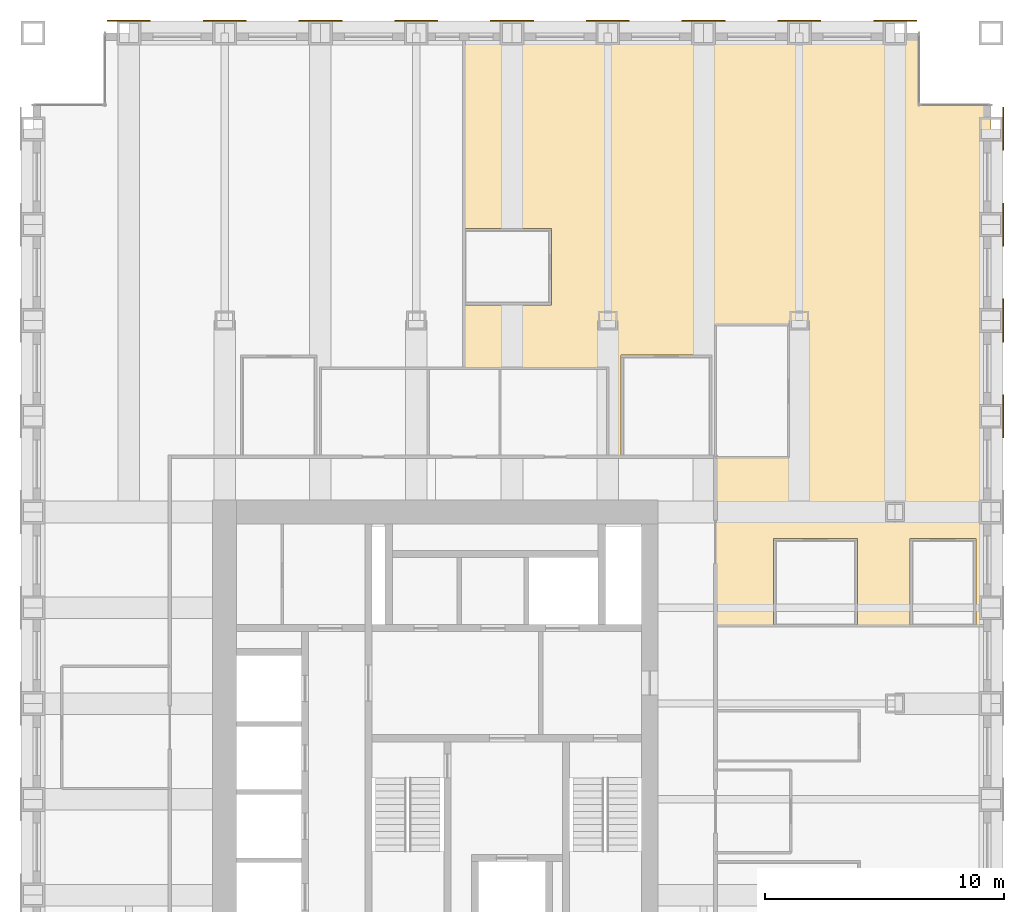
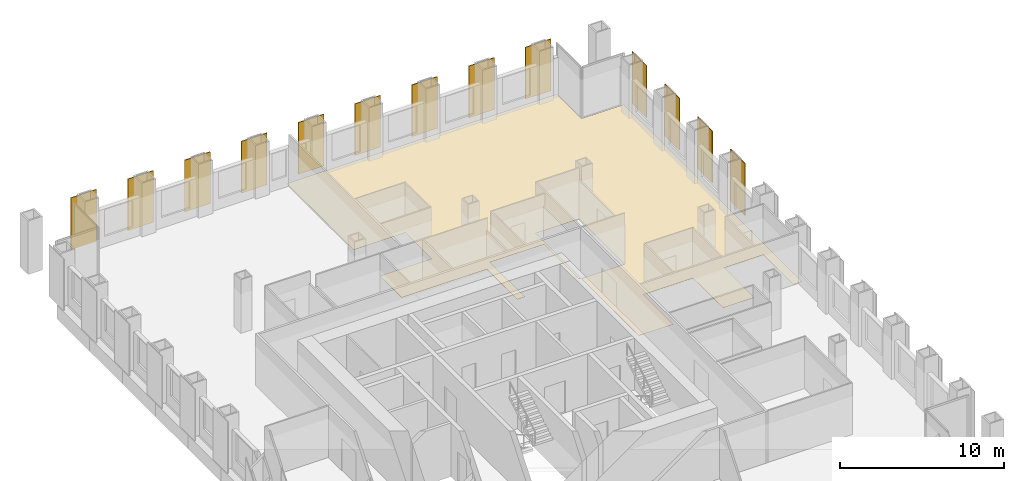
# One storey, part 14 of 14: 13 shading devices, 1 covering.
"""IFC4 building model written with IfcOpenShell, lengths in metres."""

from ifc_helpers import new_model, si_unit, direction, frame, origin, origin_2d, place, context, subcontext, project, spatial, polyline, rectangle, outline, extrude, material, layer, layer_set, type_object, element, save


model = new_model("IFC4")

# Units and contexts
model_context = context("Model", 3, precision=1e-05, world=origin(), true_north=direction((0.0, 1.0)))
body_context = subcontext(model_context, "Body", "Model", "MODEL_VIEW")
ifc_project = project(units=[si_unit("LENGTHUNIT", "METRE"), si_unit("AREAUNIT", "SQUARE_METRE"), si_unit("VOLUMEUNIT", "CUBIC_METRE"), si_unit("PLANEANGLEUNIT", "RADIAN"), si_unit("MASSUNIT", "GRAM", prefix="KILO")], contexts=[model_context])

# Site, building, storey
site_placement = place(None, origin())
site = spatial("IfcSite", under=ifc_project, at=site_placement, CompositionType="ELEMENT")
building_placement = place(site_placement, origin())
building = spatial("IfcBuilding", under=site, at=building_placement, Name="Rimbunsela Tower", CompositionType="ELEMENT")
storey_placement = place(building_placement, frame((0.0, 0.0, 226.199951171875)))
storey = spatial("IfcBuildingStorey", under=building, at=storey_placement, Name="L54", CompositionType="ELEMENT", Elevation=226.199951171875)

# Covering
ifc_material_1 = material(Name="Nylon carpet tile", Category="textile")
ifc_layer_1 = layer(ifc_material_1, 0.010009765625)
ifc_layer_set_1 = layer_set([ifc_layer_1], Name="Carpet tile 10")
covering_type = type_object("IfcCoveringType", Name="Carpet tile 10", PredefinedType="FLOORING", material=ifc_layer_set_1)
covering_placement = place(storey_placement, origin())
element("IfcCovering", 1, at=covering_placement, inside=storey, type_object=covering_type, Name="Floor finish Open office", PredefinedType="FLOORING", context=body_context, shape_type="SweptSolid", body=[
    extrude(outline(polyline([(38.5, 38.300048828125), (38.35009765625, 38.300048828125), (38.35009765625, 42.550048828125), (34.550048828125, 42.550048828125), (34.550048828125, 38.300048828125), (34.0, 38.300048828125), (34.0, 42.0), (28.0009765625, 42.0), (28.0009765625, 44.64990234375), (31.64990234375, 44.64990234375), (31.64990234375, 47.85009765625), (28.0009765625, 47.85009765625), (28.0009765625, 56.0), (38.5, 56.0), (47.0, 56.0), (47.0, 53.0), (50.0, 53.0), (50.0, 31.2509765625), (49.375, 31.2509765625), (49.375, 34.89990234375), (46.625, 34.89990234375), (46.625, 31.2509765625), (44.425048828125, 31.2509765625), (44.425048828125, 34.89990234375), (40.925048828125, 34.89990234375), (40.925048828125, 31.2509765625), (38.5, 31.2509765625), (38.5, 38.27587890625), (41.550048828125, 38.27587890625), (41.550048828125, 43.825927734375), (38.5, 43.825927734375), (38.5, 38.300048828125)])), origin(), (0.0, 0.0, 1.0), 0.010009765625),
])

# Shading devices
ifc_material_2 = material(Name="Perforated aluminium, 35 % open area", Category="aluminium")
ifc_layer_2 = layer(ifc_material_2, 0.050048828125)
ifc_layer_set_2 = layer_set([ifc_layer_2], Name="Solar screen panel 1800")
shading_device_type = type_object("IfcShadingDeviceType", Name="Solar screen panel 1800", PredefinedType="USERDEFINED", material=ifc_layer_set_2)
for number, where, z_axis, x_axis, name in (
    (2, (50.52490234375, 40.0, 0.0), (0.0, 0.0, 1.0), (0.0, 1.0, 0.0), "Solar screen E L54"),
    (3, (50.52490234375, 44.0, 0.0), (0.0, 0.0, 1.0), (0.0, 1.0, 0.0), "Solar screen E L54"),
    (4, (50.52490234375, 48.0, 0.0), (0.0, 0.0, 1.0), (0.0, 1.0, 0.0), "Solar screen E L54"),
    (5, (50.52490234375, 52.0, 0.0), (0.0, 0.0, 1.0), (0.0, 1.0, 0.0), "Solar screen E L54"),
    (6, (14.0, 56.52490234375, 0.0), (0.0, 0.0, 1.0), (1.0, 0.0, 0.0), "Solar screen N L54"),
    (7, (18.0, 56.52490234375, 0.0), (0.0, 0.0, 1.0), (1.0, 0.0, 0.0), "Solar screen N L54"),
    (8, (22.0, 56.52490234375, 0.0), (0.0, 0.0, 1.0), (1.0, 0.0, 0.0), "Solar screen N L54"),
    (9, (26.0, 56.52490234375, 0.0), (0.0, 0.0, 1.0), (1.0, 0.0, 0.0), "Solar screen N L54"),
    (10, (30.0, 56.52490234375, 0.0), (0.0, 0.0, 1.0), (1.0, 0.0, 0.0), "Solar screen N L54"),
    (11, (34.0, 56.52490234375, 0.0), (0.0, 0.0, 1.0), (1.0, 0.0, 0.0), "Solar screen N L54"),
    (12, (38.0, 56.52490234375, 0.0), (0.0, 0.0, 1.0), (1.0, 0.0, 0.0), "Solar screen N L54"),
    (13, (42.0, 56.52490234375, 0.0), (0.0, 0.0, 1.0), (1.0, 0.0, 0.0), "Solar screen N L54"),
    (14, (46.0, 56.52490234375, 0.0), (0.0, 0.0, 1.0), (1.0, 0.0, 0.0), "Solar screen N L54"),
):
    element("IfcShadingDevice", number, at=place(storey_placement, frame(where, z_axis=z_axis, x_axis=x_axis)), inside=storey, type_object=shading_device_type, Name=name, ObjectType="SCREEN", PredefinedType="USERDEFINED", context=body_context, shape_type="SweptSolid", body=[
        extrude(rectangle(XDim=1.800048828125, YDim=0.050048828125, at=origin_2d()), origin(), (0.0, 0.0, 1.0), 3.85009765625),
    ])

save(model, "model.ifc")
